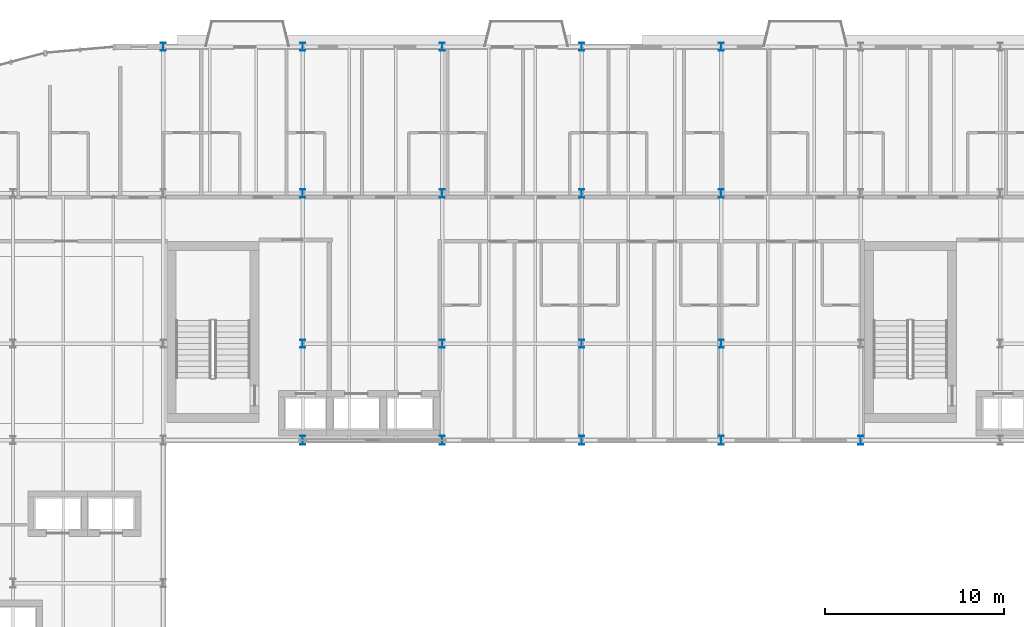
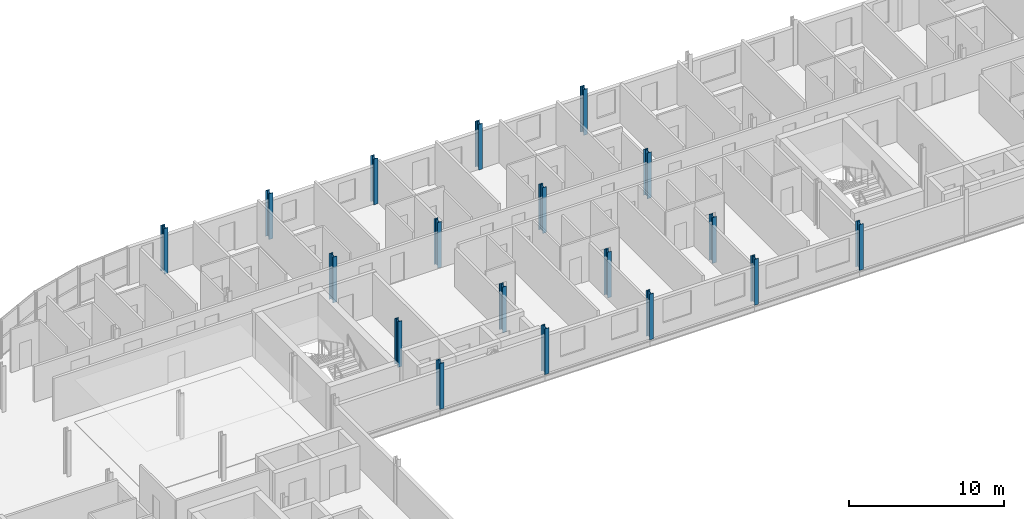
# One storey, part 2 of 30: 18 columns.
"""IFC4 building model written with IfcOpenShell, lengths in metres."""

from ifc_helpers import new_model, si_unit, direction, frame, origin, origin_2d, place, context, subcontext, project, spatial, i_section, extrude, material, material_profile, profile_set, type_object, element, save


model = new_model("IFC4")

# Units and contexts
model_context = context("Model", 3, precision=1e-05, world=origin(), true_north=direction((0.0, 1.0)))
body_context = subcontext(model_context, "Body", "Model", "MODEL_VIEW")
ifc_project = project(units=[si_unit("LENGTHUNIT", "METRE"), si_unit("AREAUNIT", "SQUARE_METRE"), si_unit("VOLUMEUNIT", "CUBIC_METRE"), si_unit("PLANEANGLEUNIT", "RADIAN"), si_unit("MASSUNIT", "GRAM", prefix="KILO")], contexts=[model_context])

# Site, building, storey
site_placement = place(None, origin())
site = spatial("IfcSite", under=ifc_project, at=site_placement, CompositionType="ELEMENT")
building_placement = place(site_placement, origin())
building = spatial("IfcBuilding", under=site, at=building_placement, Name="Sefraquen Railside Congress Hotel", CompositionType="ELEMENT")
storey_placement = place(building_placement, frame((0.0, 0.0, 35.39990234375)))
storey = spatial("IfcBuildingStorey", under=building, at=storey_placement, Name="L08", CompositionType="ELEMENT", Elevation=35.39990234375)

# Columns
ifc_material = material(Name="Steel S355JR", Category="steel")
ifc_material_profile_1 = material_profile(ifc_material, i_section(OverallWidth=0.300048828125, OverallDepth=0.449951171875, WebThickness=0.013916015625, FlangeThickness=0.02587890625, FilletRadius=0.027099609375, at=origin_2d()), Name="HEB 450")
ifc_profile_set_1 = profile_set([ifc_material_profile_1], Name="Steel S355JR")
column_type_1 = type_object("IfcColumnType", Name="TC-HEB-450", PredefinedType="COLUMN", material=ifc_profile_set_1)
for number, where, z_axis, x_axis, name in (
    (1, (25.199951171875, 118.0, 0.0), (0.0, 0.0, 1.0), (1.0, 0.0, 0.0), "Structural column 4-Q L08"),
    (2, (33.0, 101.39990234375, 0.0), (0.0, 0.0, 1.0), (1.0, 0.0, 0.0), "Structural column 5-N L08"),
    (3, (33.0, 118.0, 0.0), (0.0, 0.0, 1.0), (1.0, 0.0, 0.0), "Structural column 5-Q L08"),
    (4, (40.800048828125, 101.39990234375, 0.0), (0.0, 0.0, 1.0), (1.0, 0.0, 0.0), "Structural column 6-N L08"),
    (5, (40.800048828125, 118.0, 0.0), (0.0, 0.0, 1.0), (1.0, 0.0, 0.0), "Structural column 6-Q L08"),
    (6, (48.60009765625, 101.39990234375, 0.0), (0.0, 0.0, 1.0), (1.0, 0.0, 0.0), "Structural column 7-N L08"),
    (7, (48.60009765625, 118.0, 0.0), (0.0, 0.0, 1.0), (1.0, 0.0, 0.0), "Structural column 7-Q L08"),
    (8, (56.39990234375, 101.39990234375, 0.0), (0.0, 0.0, 1.0), (1.0, 0.0, 0.0), "Structural column 8-N L08"),
    (9, (56.39990234375, 118.0, 0.0), (0.0, 0.0, 1.0), (1.0, 0.0, 0.0), "Structural column 8-Q L08"),
):
    element("IfcColumn", number, at=place(storey_placement, frame(where, z_axis=z_axis, x_axis=x_axis)), inside=storey, type_object=column_type_1, Name=name, PredefinedType="COLUMN", context=body_context, shape_type="SweptSolid", body=[
        extrude(i_section(OverallWidth=0.300048828125, OverallDepth=0.449951171875, WebThickness=0.013916015625, FlangeThickness=0.02587890625, FilletRadius=0.027099609375, at=origin_2d()), origin(), (0.0, 0.0, 1.0), 3.60009765625),
    ])
ifc_material_profile_2 = material_profile(ifc_material, i_section(OverallWidth=0.300048828125, OverallDepth=0.5, WebThickness=0.014404296875, FlangeThickness=0.028076171875, FilletRadius=0.027099609375, at=origin_2d()), Name="HEB 500")
ifc_profile_set_2 = profile_set([ifc_material_profile_2], Name="Steel S355JR")
column_type_2 = type_object("IfcColumnType", Name="TC-HEB-500", PredefinedType="COLUMN", material=ifc_profile_set_2)
for number, where, z_axis, x_axis, name in (
    (10, (33.0, 96.0, 0.0), (0.0, 0.0, 1.0), (1.0, 0.0, 0.0), "Structural column 5-M L08"),
    (11, (33.0, 109.800048828125, 0.0), (0.0, 0.0, 1.0), (1.0, 0.0, 0.0), "Structural column 5-P L08"),
    (12, (40.800048828125, 96.0, 0.0), (0.0, 0.0, 1.0), (1.0, 0.0, 0.0), "Structural column 6-M L08"),
    (13, (40.800048828125, 109.800048828125, 0.0), (0.0, 0.0, 1.0), (1.0, 0.0, 0.0), "Structural column 6-P L08"),
    (14, (48.60009765625, 96.0, 0.0), (0.0, 0.0, 1.0), (1.0, 0.0, 0.0), "Structural column 7-M L08"),
    (15, (48.60009765625, 109.800048828125, 0.0), (0.0, 0.0, 1.0), (1.0, 0.0, 0.0), "Structural column 7-P L08"),
    (16, (56.39990234375, 96.0, 0.0), (0.0, 0.0, 1.0), (1.0, 0.0, 0.0), "Structural column 8-M L08"),
    (17, (56.39990234375, 109.800048828125, 0.0), (0.0, 0.0, 1.0), (1.0, 0.0, 0.0), "Structural column 8-P L08"),
    (18, (64.199951171875, 96.0, 0.0), (0.0, 0.0, 1.0), (1.0, 0.0, 0.0), "Structural column 9-M L08"),
):
    element("IfcColumn", number, at=place(storey_placement, frame(where, z_axis=z_axis, x_axis=x_axis)), inside=storey, type_object=column_type_2, Name=name, PredefinedType="COLUMN", context=body_context, shape_type="SweptSolid", body=[
        extrude(i_section(OverallWidth=0.300048828125, OverallDepth=0.5, WebThickness=0.014404296875, FlangeThickness=0.028076171875, FilletRadius=0.027099609375, at=origin_2d()), origin(), (0.0, 0.0, 1.0), 3.60009765625),
    ])

save(model, "model.ifc")
